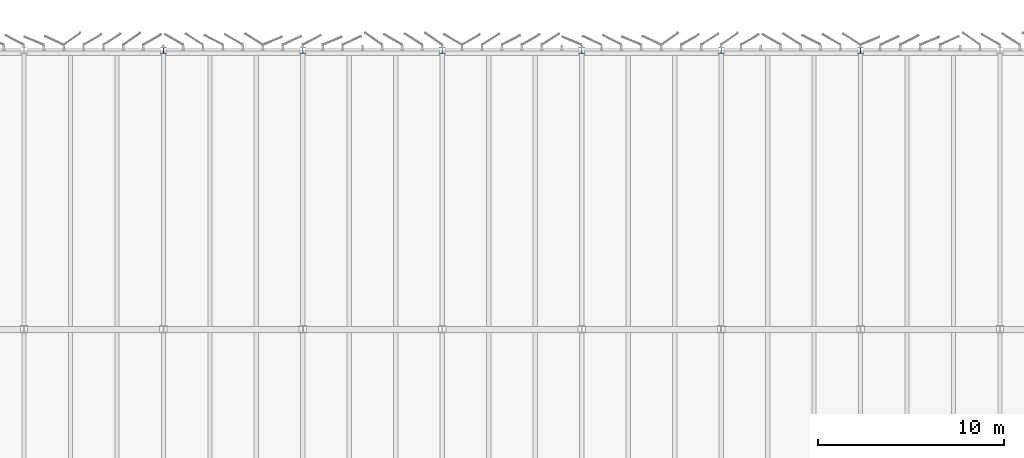
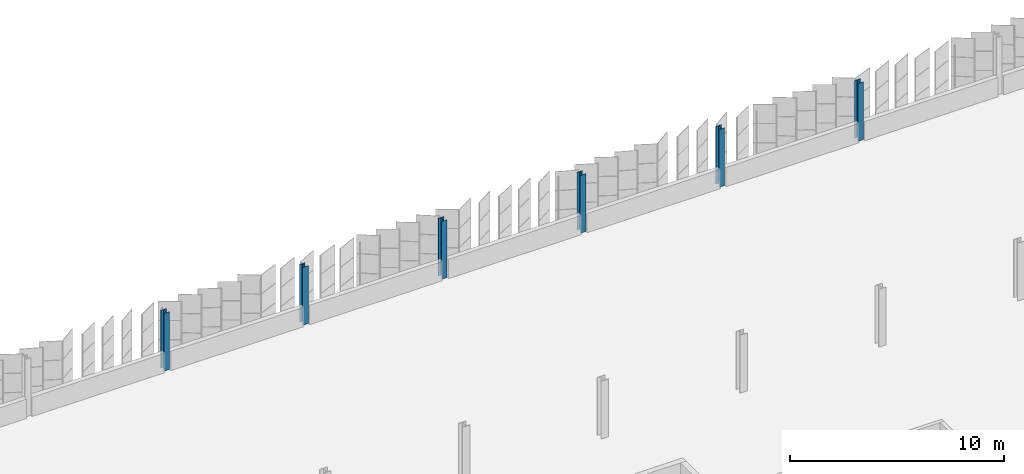
# One storey, part 32 of 214: 6 columns.
"""IFC4 building model written with IfcOpenShell, lengths in metres."""

from ifc_helpers import new_model, si_unit, direction, frame, origin, origin_2d, place, context, subcontext, project, spatial, i_section, extrude, material, material_profile, profile_set, type_object, element, save


model = new_model("IFC4")

# Units and contexts
model_context = context("Model", 3, precision=1e-05, world=origin(), true_north=direction((0.0, 1.0)))
body_context = subcontext(model_context, "Body", "Model", "MODEL_VIEW")
ifc_project = project(units=[si_unit("LENGTHUNIT", "METRE"), si_unit("AREAUNIT", "SQUARE_METRE"), si_unit("VOLUMEUNIT", "CUBIC_METRE"), si_unit("PLANEANGLEUNIT", "RADIAN"), si_unit("MASSUNIT", "GRAM", prefix="KILO")], contexts=[model_context])

# Site, building, storey
site_placement = place(None, origin())
site = spatial("IfcSite", under=ifc_project, at=site_placement, CompositionType="ELEMENT")
building_placement = place(site_placement, origin())
building = spatial("IfcBuilding", under=site, at=building_placement, Name="Parallax Yard Mobility Hub", CompositionType="ELEMENT")
storey_placement = place(building_placement, frame((0.0, 0.0, 3.300048828125)))
storey = spatial("IfcBuildingStorey", under=building, at=storey_placement, Name="L01", CompositionType="ELEMENT", Elevation=3.300048828125)

# Columns
ifc_material = material(Name="Steel ASTM A992", Category="steel")
ifc_material_profile = material_profile(ifc_material, i_section(OverallWidth=0.304931640625, OverallDepth=0.31201171875, WebThickness=0.010986328125, FlangeThickness=0.01708984375, FilletRadius=0.015380859375, at=origin_2d()), Name="W310x107")
ifc_profile_set = profile_set([ifc_material_profile], Name="Steel ASTM A992")
column_type = type_object("IfcColumnType", Name="W310x107 column", PredefinedType="COLUMN", material=ifc_profile_set)
for number, where, z_axis, x_axis, name in (
    (1, (67.5, 142.5, 0.0), (0.0, 0.0, 1.0), (1.0, 0.0, 0.0), "Column C2 level L01 at V/10 of ramped parking decks"),
    (2, (75.0, 142.5, 0.0), (0.0, 0.0, 1.0), (1.0, 0.0, 0.0), "Column C2 level L01 at V/11 of ramped parking decks"),
    (3, (82.5, 142.5, 0.0), (0.0, 0.0, 1.0), (1.0, 0.0, 0.0), "Column C2 level L01 at V/12 of ramped parking decks"),
    (4, (90.0, 142.5, 0.0), (0.0, 0.0, 1.0), (1.0, 0.0, 0.0), "Column C2 level L01 at V/13 of ramped parking decks"),
    (5, (97.5, 142.5, 0.0), (0.0, 0.0, 1.0), (1.0, 0.0, 0.0), "Column C2 level L01 at V/14 of ramped parking decks"),
    (6, (105.0, 142.5, 0.0), (0.0, 0.0, 1.0), (1.0, 0.0, 0.0), "Column C2 level L01 at V/15 of ramped parking decks"),
):
    element("IfcColumn", number, at=place(storey_placement, frame(where, z_axis=z_axis, x_axis=x_axis)), inside=storey, type_object=column_type, Name=name, PredefinedType="COLUMN", context=body_context, shape_type="SweptSolid", body=[
        extrude(i_section(OverallWidth=0.304931640625, OverallDepth=0.31201171875, WebThickness=0.010986328125, FlangeThickness=0.01708984375, FilletRadius=0.015380859375, at=origin_2d()), origin(), (0.0, 0.0, 1.0), 3.300048828125),
    ])

save(model, "model.ifc")
